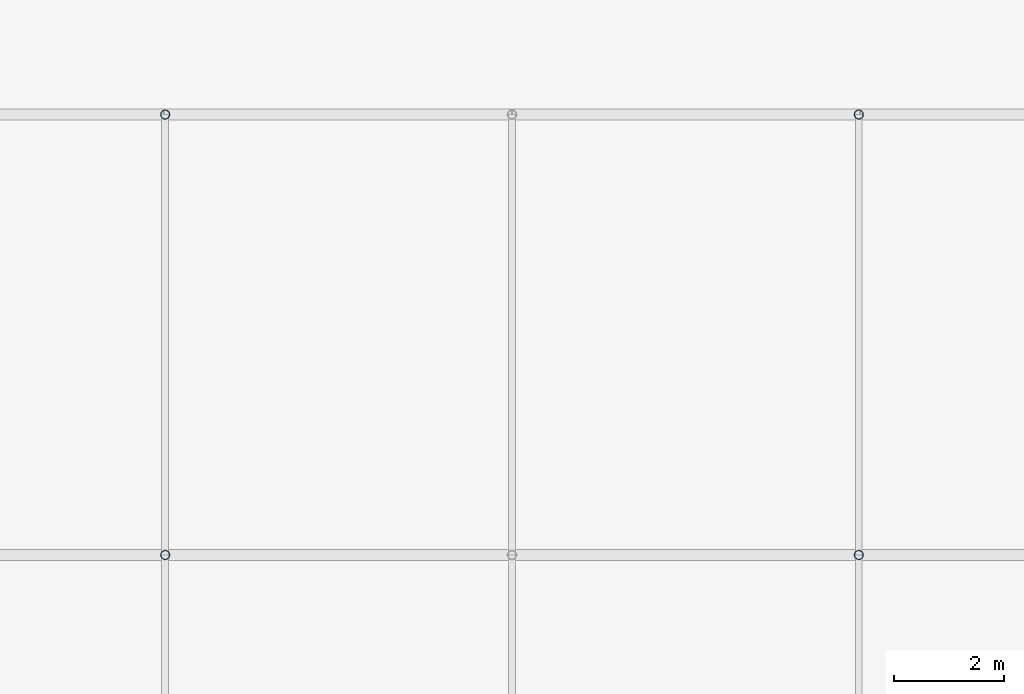
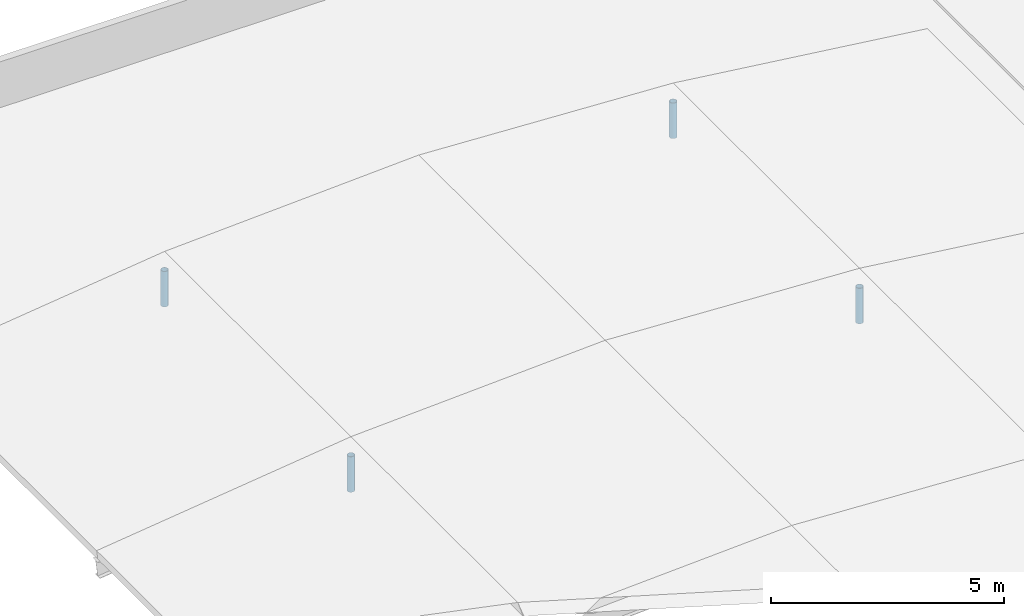
# One storey, part 43 of 76: 4 members.
"""IFC4 building model written with IfcOpenShell, lengths in metres."""

from ifc_helpers import new_model, si_unit, direction, frame, origin, origin_2d, place, context, subcontext, project, spatial, hollow_circle, extrude, material, material_profile, profile_set, type_object, element, save


model = new_model("IFC4")

# Units and contexts
model_context = context("Model", 3, precision=1e-05, world=origin(), true_north=direction((0.0, 1.0)))
body_context = subcontext(model_context, "Body", "Model", "MODEL_VIEW")
ifc_project = project(units=[si_unit("LENGTHUNIT", "METRE"), si_unit("AREAUNIT", "SQUARE_METRE"), si_unit("VOLUMEUNIT", "CUBIC_METRE"), si_unit("PLANEANGLEUNIT", "RADIAN"), si_unit("MASSUNIT", "GRAM", prefix="KILO")], contexts=[model_context])

# Site, building, storey
site_placement = place(None, origin())
site = spatial("IfcSite", under=ifc_project, at=site_placement, CompositionType="ELEMENT")
building_placement = place(site_placement, origin())
building = spatial("IfcBuilding", under=site, at=building_placement, Name="Naruveol Harbour Congress Hotel", CompositionType="ELEMENT")
storey_placement = place(building_placement, frame((0.0, 0.0, 11.39990234375)))
storey = spatial("IfcBuildingStorey", under=building, at=storey_placement, Name="L02", CompositionType="ELEMENT", Elevation=11.39990234375)

# Members
ifc_material = material(Name="Steel SN490", Category="steel")
ifc_material_profile = material_profile(ifc_material, hollow_circle(Radius=0.084228515625, WallThickness=0.008056640625, at=origin_2d()), Name="CHS-168.3x8")
ifc_profile_set = profile_set([ifc_material_profile], Name="Steel SN490")
member_type = type_object("IfcMemberType", Name="STEEL GABLE TRUSS WEB BRACE CHS168", PredefinedType="BRACE", material=ifc_profile_set)
for number, where, z_axis, x_axis, name in (
    (1, (6.300048828125, 96.0, -0.39990234375), (0.0, 0.0, 1.0), (1.0, 0.0, 0.0), "Spa vault quarter web post #4.6"),
    (2, (18.89990234375, 96.0, -0.39990234375), (0.0, 0.0, 1.0), (1.0, 0.0, 0.0), "Spa vault quarter web post #4.18"),
    (3, (6.300048828125, 104.0, -0.39990234375), (0.0, 0.0, 1.0), (1.0, 0.0, 0.0), "Spa vault quarter web post #5.6"),
    (4, (18.89990234375, 104.0, -0.39990234375), (0.0, 0.0, 1.0), (1.0, 0.0, 0.0), "Spa vault quarter web post #5.18"),
):
    element("IfcMember", number, at=place(storey_placement, frame(where, z_axis=z_axis, x_axis=x_axis)), inside=storey, type_object=member_type, Name=name, PredefinedType="BRACE", context=body_context, shape_type="SweptSolid", body=[
        extrude(hollow_circle(Radius=0.084228515625, WallThickness=0.008056640625, at=origin_2d()), origin(), (0.0, 0.0, 1.0), 0.929931640625),
    ])

save(model, "model.ifc")
